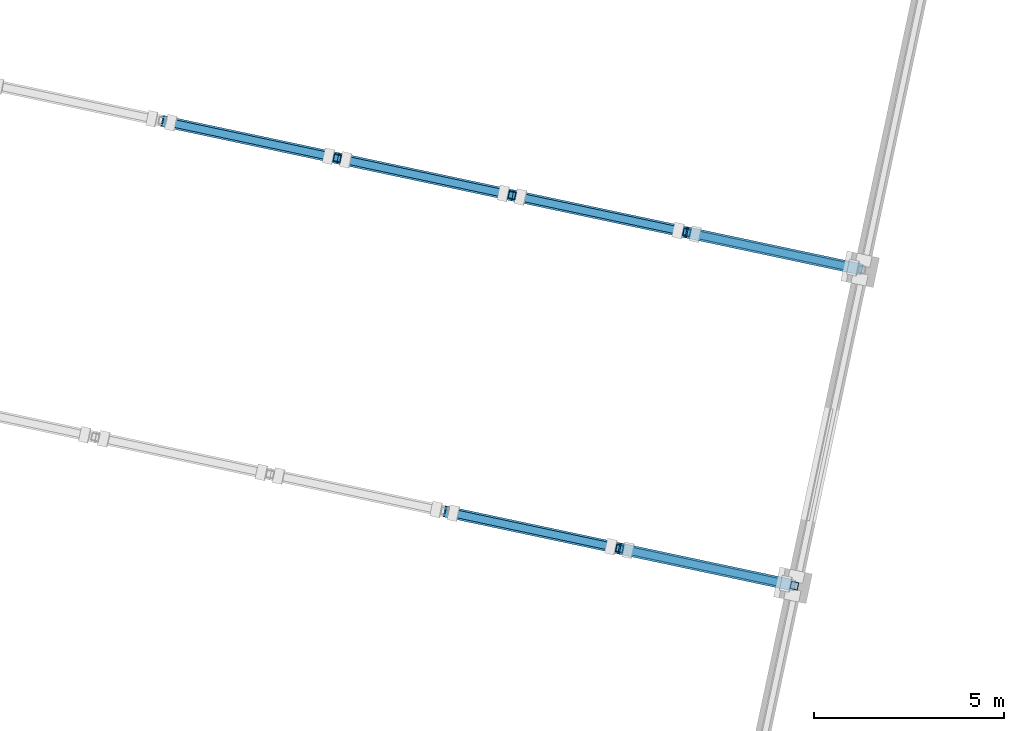
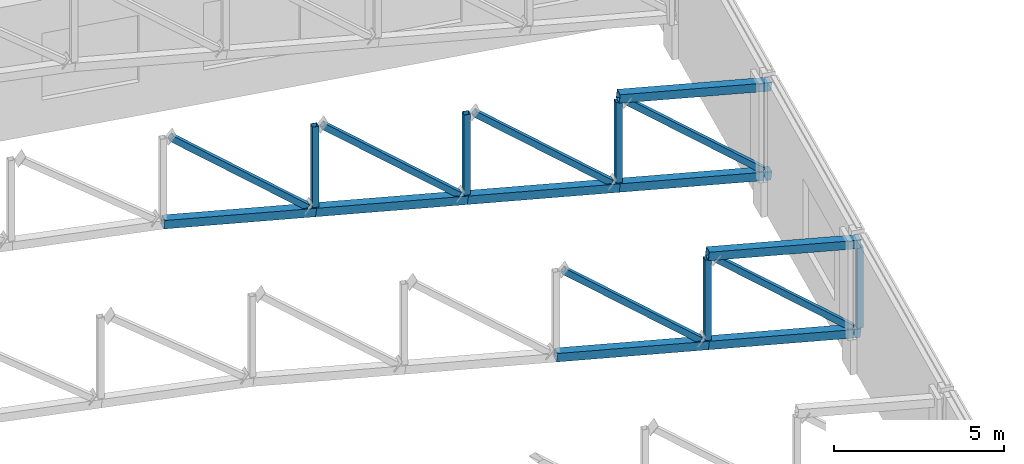
# One storey, part 65 of 182: 19 members.
"""IFC4 building model written with IfcOpenShell, lengths in metres."""

from ifc_helpers import new_model, si_unit, direction, frame, origin, origin_2d, place, context, subcontext, project, spatial, hollow_rectangle, extrude, material, material_profile, profile_set, type_object, element, save


model = new_model("IFC4")

# Units and contexts
model_context = context("Model", 3, precision=1e-05, world=origin(), true_north=direction((0.0, 1.0)))
body_context = subcontext(model_context, "Body", "Model", "MODEL_VIEW")
ifc_project = project(units=[si_unit("LENGTHUNIT", "METRE"), si_unit("AREAUNIT", "SQUARE_METRE"), si_unit("VOLUMEUNIT", "CUBIC_METRE"), si_unit("PLANEANGLEUNIT", "RADIAN"), si_unit("MASSUNIT", "GRAM", prefix="KILO")], contexts=[model_context])

# Site, building, storey
site_placement = place(None, origin())
site = spatial("IfcSite", under=ifc_project, at=site_placement, CompositionType="ELEMENT")
building_placement = place(site_placement, origin())
building = spatial("IfcBuilding", under=site, at=building_placement, Name="Okhra Congress Centre", CompositionType="ELEMENT")
storey_placement = place(building_placement, frame((0.0, 0.0, 7.199951171875)))
storey = spatial("IfcBuildingStorey", under=building, at=storey_placement, Name="L01", CompositionType="ELEMENT", Elevation=7.199951171875)

# Members
ifc_material = material(Name="Steel S355J2", Category="steel")
ifc_material_profile_1 = material_profile(ifc_material, hollow_rectangle(XDim=0.300048828125, YDim=0.300048828125, WallThickness=0.01611328125, at=origin_2d()), Name="RHS 300x300x16")
ifc_profile_set_1 = profile_set([ifc_material_profile_1], Name="Steel S355J2")
member_type_1 = type_object("IfcMemberType", Name="Steel truss chord RHS 300x300x16", PredefinedType="CHORD", material=ifc_profile_set_1)
member_1_placement = place(storey_placement, frame((251.224365234375, 110.84521484375, 2.404296875), z_axis=(0.970851895595, -0.206378850729, -0.121878491912), x_axis=(0.207928955205, 0.978143930916, 0.0)))
element("IfcMember", 1, at=member_1_placement, inside=storey, type_object=member_type_1, Name="Hall truss 4 bottom chord 11", PredefinedType="CHORD", context=body_context, shape_type="SweptSolid", body=[
    extrude(hollow_rectangle(XDim=0.300048828125, YDim=0.300048828125, WallThickness=0.01611328125, at=origin_2d()), origin(), (0.0, 0.0, 1.0), 4.7353515625),
])
for number, where, z_axis, x_axis, name in (
    (2, (255.82177734375, 109.867919921875, 1.8271484375), (0.97085926347, -0.206339817972, -0.121885889477), (0.20788981954, 0.978152249362, 0.0), "Hall truss 4 bottom chord 12"),
    (3, (255.82177734375, 109.867919921875, 5.027099609375), (0.97085926347, -0.206339817972, -0.121885889477), (0.20788981954, 0.978152249362, 0.0), "Hall truss 4 top chord 12"),
    (4, (243.797119140625, 121.11376953125, 3.558349609375), (0.970848933654, -0.206389181169, -0.121884592627), (0.207939520185, 0.978141685005, 0.0), "Hall truss 5 bottom chord 9"),
):
    element("IfcMember", number, at=place(storey_placement, frame(where, z_axis=z_axis, x_axis=x_axis)), inside=storey, type_object=member_type_1, Name=name, PredefinedType="CHORD", context=body_context, shape_type="SweptSolid", body=[
        extrude(hollow_rectangle(XDim=0.300048828125, YDim=0.300048828125, WallThickness=0.01611328125, at=origin_2d()), origin(), (0.0, 0.0, 1.0), 4.735107421875),
    ])
member_2_placement = place(storey_placement, frame((248.394287109375, 120.136474609375, 2.981201171875), z_axis=(0.97086832379, -0.206330786034, -0.121828997351), x_axis=(0.207879256857, 0.978154494223, 0.0)))
element("IfcMember", 5, at=member_2_placement, inside=storey, type_object=member_type_1, Name="Hall truss 5 bottom chord 10", PredefinedType="CHORD", context=body_context, shape_type="SweptSolid", body=[
    extrude(hollow_rectangle(XDim=0.300048828125, YDim=0.300048828125, WallThickness=0.01611328125, at=origin_2d()), origin(), (0.0, 0.0, 1.0), 4.7353515625),
])
member_3_placement = place(storey_placement, frame((252.99169921875, 119.159423828125, 2.404296875), z_axis=(0.970848933654, -0.206389181169, -0.121884592627), x_axis=(0.207939520185, 0.978141685005, 0.0)))
element("IfcMember", 6, at=member_3_placement, inside=storey, type_object=member_type_1, Name="Hall truss 5 bottom chord 11", PredefinedType="CHORD", context=body_context, shape_type="SweptSolid", body=[
    extrude(hollow_rectangle(XDim=0.300048828125, YDim=0.300048828125, WallThickness=0.01611328125, at=origin_2d()), origin(), (0.0, 0.0, 1.0), 4.735107421875),
])
for number, where, z_axis, x_axis, name in (
    (7, (257.5888671875, 118.18212890625, 1.8271484375), (0.970862224409, -0.206329489782, -0.121879788567), (0.207879256857, 0.978154494223, 0.0), "Hall truss 5 bottom chord 12"),
    (8, (257.5888671875, 118.18212890625, 5.027099609375), (0.970862224409, -0.206329489782, -0.121879788567), (0.207879256857, 0.978154494223, 0.0), "Hall truss 5 top chord 12"),
):
    element("IfcMember", number, at=place(storey_placement, frame(where, z_axis=z_axis, x_axis=x_axis)), inside=storey, type_object=member_type_1, Name=name, PredefinedType="CHORD", context=body_context, shape_type="SweptSolid", body=[
        extrude(hollow_rectangle(XDim=0.300048828125, YDim=0.300048828125, WallThickness=0.01611328125, at=origin_2d()), origin(), (0.0, 0.0, 1.0), 4.7353515625),
    ])
ifc_material_profile_2 = material_profile(ifc_material, hollow_rectangle(XDim=0.199951171875, YDim=0.199951171875, WallThickness=0.010009765625, at=origin_2d()), Name="RHS 200x200x10 diagonal")
ifc_profile_set_2 = profile_set([ifc_material_profile_2], Name="Steel S355J2")
member_type_2 = type_object("IfcMemberType", Name="Steel truss diagonal RHS 200x200x10", PredefinedType="BRACE", material=ifc_profile_set_2)
for number, where, z_axis, x_axis, name in (
    (9, (251.4580078125, 110.79541015625, 5.412109375), (0.7624759087, -0.162041906584, -0.626396766565), (0.207878119852, 0.978154735861, 0.0), "Hall truss 4 diagonal 11"),
    (10, (256.055419921875, 109.818359375, 4.835205078125), (0.762448811516, -0.162081220514, -0.626419578059), (0.207933444311, 0.978142976633, 0.0), "Hall truss 4 diagonal 12"),
    (11, (244.03076171875, 121.06396484375, 6.56640625), (0.762454380818, -0.162037331464, -0.626424153736), (0.207878119852, 0.978154735861, 0.0), "Hall truss 5 diagonal 9"),
    (12, (248.628173828125, 120.0869140625, 5.9892578125), (0.762429939898, -0.162086790652, -0.626441105806), (0.207945205612, 0.978140476344, 0.0), "Hall truss 5 diagonal 10"),
    (13, (253.225341796875, 119.109619140625, 5.412109375), (0.7624759087, -0.162041906584, -0.626396766565), (0.207878119852, 0.978154735861, 0.0), "Hall truss 5 diagonal 11"),
    (14, (257.82275390625, 118.132568359375, 4.835205078125), (0.762429939898, -0.162086790652, -0.626441105806), (0.207945205612, 0.978140476344, 0.0), "Hall truss 5 diagonal 12"),
):
    element("IfcMember", number, at=place(storey_placement, frame(where, z_axis=z_axis, x_axis=x_axis)), inside=storey, type_object=member_type_2, Name=name, PredefinedType="BRACE", context=body_context, shape_type="SweptSolid", body=[
        extrude(hollow_rectangle(XDim=0.199951171875, YDim=0.199951171875, WallThickness=0.010009765625, at=origin_2d()), origin(), (0.0, 0.0, 1.0), 5.41650390625),
    ])
ifc_material_profile_3 = material_profile(ifc_material, hollow_rectangle(XDim=0.199951171875, YDim=0.199951171875, WallThickness=0.010009765625, at=origin_2d()), Name="RHS 200x200x10")
ifc_profile_set_3 = profile_set([ifc_material_profile_3], Name="Steel S355J2")
member_type_3 = type_object("IfcMemberType", Name="Steel truss post RHS 200x200x10", PredefinedType="POST", material=ifc_profile_set_3)
for number, where, z_axis, x_axis, name in (
    (15, (255.82177734375, 109.867919921875, 1.978271484375), (0.0, 0.0, 1.0), (0.978147600734, -0.207911690818, 0.0), "Hall truss 4 post 12"),
    (16, (260.4189453125, 108.890869140625, 1.401123046875), (0.0, 0.0, 1.0), (0.978147600734, -0.207911690818, 0.0), "Hall truss 4 post 13"),
):
    element("IfcMember", number, at=place(storey_placement, frame(where, z_axis=z_axis, x_axis=x_axis)), inside=storey, type_object=member_type_3, Name=name, PredefinedType="POST", context=body_context, shape_type="SweptSolid", body=[
        extrude(hollow_rectangle(XDim=0.199951171875, YDim=0.199951171875, WallThickness=0.010009765625, at=origin_2d()), origin(), (0.0, 0.0, 1.0), 2.897705078125),
    ])
member_4_placement = place(storey_placement, frame((248.394287109375, 120.136474609375, 3.13232421875), z_axis=(0.0, 0.0, 1.0), x_axis=(0.978147600734, -0.207911690818, 0.0)))
element("IfcMember", 17, at=member_4_placement, inside=storey, type_object=member_type_3, Name="Hall truss 5 post 10", PredefinedType="POST", context=body_context, shape_type="SweptSolid", body=[
    extrude(hollow_rectangle(XDim=0.199951171875, YDim=0.199951171875, WallThickness=0.010009765625, at=origin_2d()), origin(), (0.0, 0.0, 1.0), 2.89794921875),
])
for number, where, z_axis, x_axis, name in (
    (18, (252.99169921875, 119.159423828125, 2.555419921875), (0.0, 0.0, 1.0), (0.978147600734, -0.207911690818, 0.0), "Hall truss 5 post 11"),
    (19, (257.5888671875, 118.18212890625, 1.978271484375), (0.0, 0.0, 1.0), (0.978147600734, -0.207911690818, 0.0), "Hall truss 5 post 12"),
):
    element("IfcMember", number, at=place(storey_placement, frame(where, z_axis=z_axis, x_axis=x_axis)), inside=storey, type_object=member_type_3, Name=name, PredefinedType="POST", context=body_context, shape_type="SweptSolid", body=[
        extrude(hollow_rectangle(XDim=0.199951171875, YDim=0.199951171875, WallThickness=0.010009765625, at=origin_2d()), origin(), (0.0, 0.0, 1.0), 2.897705078125),
    ])

save(model, "model.ifc")
